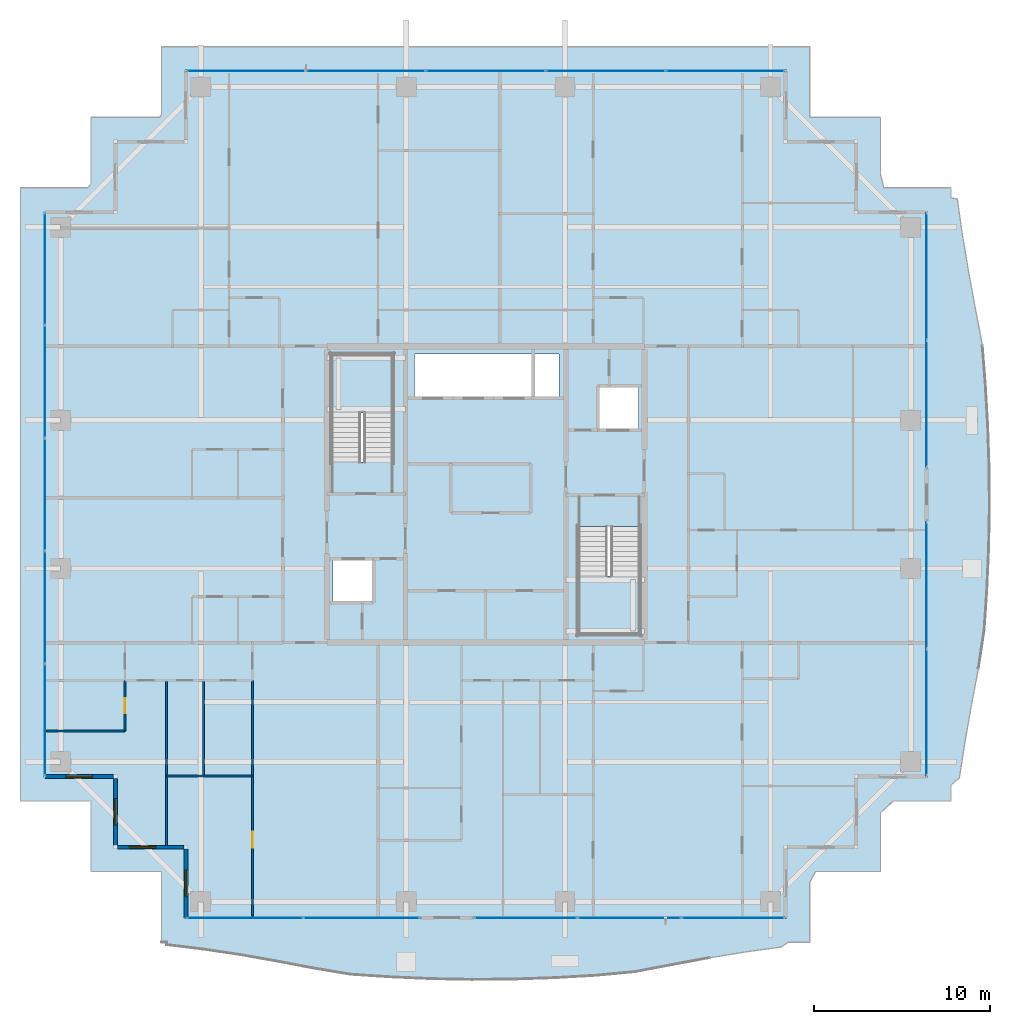
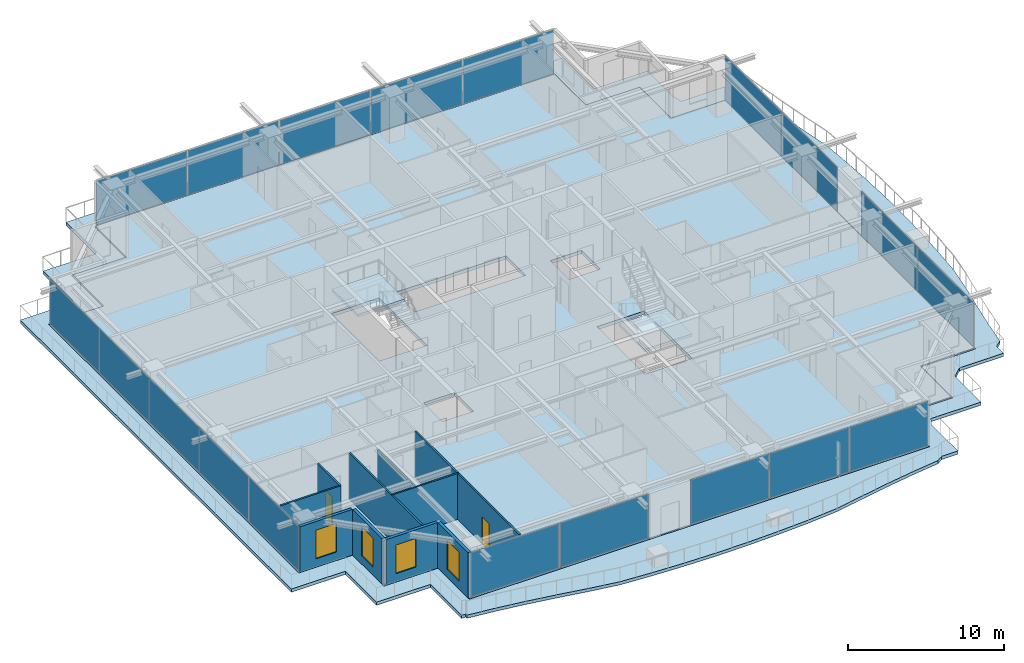
# One storey, part 25 of 37: 19 plates, 11 walls, 4 slabs, 4 windows, 2 doors, 6 openings, 8 elements without a shape of their own.
"""IFC4 building model written with IfcOpenShell, lengths in metres."""

from ifc_helpers import new_model, si_unit, direction, frame, frame_2d, origin, origin_2d, place, context, subcontext, project, spatial, polyline, rectangle, outline, extrude, source, transform, mapped, material, layer, layer_set, type_object, element, fill, aggregate, save


model = new_model("IFC4")

# Units and contexts
model_context = context("Model", 3, precision=1e-05, world=origin(), true_north=direction((0.0, 1.0)))
body_context = subcontext(model_context, "Body", "Model", "MODEL_VIEW")
ifc_project = project(units=[si_unit("LENGTHUNIT", "METRE"), si_unit("AREAUNIT", "SQUARE_METRE"), si_unit("VOLUMEUNIT", "CUBIC_METRE"), si_unit("PLANEANGLEUNIT", "RADIAN"), si_unit("MASSUNIT", "GRAM", prefix="KILO")], contexts=[model_context])

# Site, building, storey
site_placement = place(None, origin())
site = spatial("IfcSite", under=ifc_project, at=site_placement, CompositionType="ELEMENT")
building_placement = place(site_placement, origin())
building = spatial("IfcBuilding", under=site, at=building_placement, Name="Serunith Strait Residences", CompositionType="ELEMENT")
storey_placement = place(building_placement, frame((0.0, 0.0, 275.89990234375)))
storey = spatial("IfcBuildingStorey", under=building, at=storey_placement, Name="L69", CompositionType="ELEMENT", Elevation=275.89990234375)

# Slab
ifc_material_1 = material(Name="Concrete C50/60", Category="concrete")
ifc_layer_1 = layer(ifc_material_1, 0.239990234375, Name="Concrete C50/60")
ifc_layer_set_1 = layer_set([ifc_layer_1], Name="Concrete C50/60")
slab_type_1 = type_object("IfcSlabType", Name="SLB-BALC-240", PredefinedType="FLOOR", material=ifc_layer_set_1)
slab_1_placement = place(storey_placement, frame((0.0, 0.0, -0.289794921875)))
element("IfcSlab", 1, at=slab_1_placement, inside=storey, type_object=slab_type_1, Name="L69 Planted Vertical-Forest Balcony Slab", PredefinedType="FLOOR", context=body_context, shape_type="SweptSolid", body=[
    extrude(outline(polyline([(14.02001953125, -0.179931640625), (14.02001953125, 3.820068359375), (10.02001953125, 3.820068359375), (10.02001953125, 7.820068359375), (6.02001953125, 7.820068359375), (6.02001953125, 42.580078125), (9.824951171875, 42.580078125), (10.02001953125, 42.802001953125), (10.02001953125, 46.580078125), (13.9189453125, 46.580078125), (14.02001953125, 46.734619140625), (14.02001953125, 50.580078125), (50.780029296875, 50.580078125), (50.780029296875, 46.580078125), (54.780029296875, 46.580078125), (54.780029296875, 43.365966796875), (54.9716796875, 42.580078125), (58.780029296875, 42.580078125), (58.780029296875, 42.016357421875), (59.138427734375, 41.9560546875), (59.425048828125, 39.9287109375), (59.76708984375, 37.880126953125), (60.154052734375, 35.792724609375), (60.5615234375, 33.6484375), (60.73828125, 31.38720703125), (60.869873046875, 29.0908203125), (60.94873046875, 26.770263671875), (60.967041015625, 24.438232421875), (60.922607421875, 22.110107421875), (60.8193359375, 19.80029296875), (60.66748046875, 17.5205078125), (60.33447265625, 15.329833984375), (59.933837890625, 13.222900390625), (59.569580078125, 11.162353515625), (59.2578125, 9.130126953125), (58.780029296875, 8.728515625), (58.780029296875, 7.820068359375), (55.5048828125, 7.820068359375), (54.780029296875, 7.146484375), (54.780029296875, 3.820068359375), (51.10302734375, 3.820068359375), (50.780029296875, 3.237060546875), (50.780029296875, -0.179931640625), (49.5576171875, -0.179931640625), (49.1513671875, -0.461669921875), (47.125244140625, -0.73828125), (45.080078125, -1.072509765625), (42.997802734375, -1.45654296875), (40.858154296875, -1.8662109375), (38.603271484375, -2.0751953125), (36.3017578125, -2.206787109375), (33.974609375, -2.2861328125), (31.635986328125, -2.30517578125), (29.301025390625, -2.261474609375), (26.985107421875, -2.1591796875), (24.700439453125, -2.008056640625), (22.521728515625, -1.63916015625), (20.419921875, -1.239013671875), (18.36376953125, -0.880126953125), (16.333984375, -0.577392578125), (14.314697265625, -0.332275390625), (14.31591796875, -0.179931640625), (14.02001953125, -0.179931640625)]), holes=[polyline([(49.455078125, 1.14501953125), (49.455078125, 5.14501953125), (53.455078125, 5.14501953125), (53.455078125, 9.14501953125), (57.455078125, 9.14501953125), (57.455078125, 41.2548828125), (53.455078125, 41.2548828125), (53.455078125, 45.2548828125), (49.455078125, 45.2548828125), (49.455078125, 49.2548828125), (15.344970703125, 49.2548828125), (15.344970703125, 45.2548828125), (11.344970703125, 45.2548828125), (11.344970703125, 41.2548828125), (7.344970703125, 41.2548828125), (7.344970703125, 9.14501953125), (11.344970703125, 9.14501953125), (11.344970703125, 5.14501953125), (15.344970703125, 5.14501953125), (15.344970703125, 1.14501953125), (49.455078125, 1.14501953125)])]), origin(), (0.0, 0.0, 1.0), 0.239990234375),
])

# Stair, slab
stair_type_1 = type_object("IfcStairType", Name="STR-CORE-1", PredefinedType="HALF_TURN_STAIR", material=ifc_material_1)
stair_1_placement = place(storey_placement, origin())
stair_1 = element("IfcStair", 2, at=stair_1_placement, inside=storey, type_object=stair_type_1, Name="L69 Protected Escape Stair ST-1", PredefinedType="HALF_TURN_STAIR")
ifc_layer_2 = layer(ifc_material_1, 0.199951171875, Name="Concrete C50/60")
ifc_layer_set_2 = layer_set([ifc_layer_2], Name="Concrete C50/60")
slab_type_2 = type_object("IfcSlabType", Name="SLB-LAND-200", PredefinedType="LANDING", material=ifc_layer_set_2)
slab_2_placement = place(storey_placement, frame((0.0, 0.0, 1.72509765625)))
slab_2 = element("IfcSlab", 3, at=slab_2_placement, type_object=slab_type_2, Name="ST-1 landing 1", PredefinedType="LANDING", context=body_context, shape_type="SweptSolid", body=[
    extrude(outline(polyline([(27.14990234375, 29.830078125), (27.14990234375, 33.14990234375), (23.64990234375, 33.14990234375), (23.64990234375, 29.830078125), (27.14990234375, 29.830078125)])), origin(), (0.0, 0.0, 1.0), 0.199951171875),
])
aggregate(stair_1, [slab_2])

stair_type_2 = type_object("IfcStairType", Name="STR-CORE-2", PredefinedType="HALF_TURN_STAIR", material=ifc_material_1)
stair_2_placement = place(storey_placement, origin())
stair_2 = element("IfcStair", 4, at=stair_2_placement, inside=storey, type_object=stair_type_2, Name="L69 Protected Escape Stair ST-2", PredefinedType="HALF_TURN_STAIR")
slab_3_placement = place(storey_placement, frame((0.0, 0.0, 1.72509765625)))
slab_3 = element("IfcSlab", 5, at=slab_3_placement, type_object=slab_type_2, Name="ST-2 landing 1", PredefinedType="LANDING", context=body_context, shape_type="SweptSolid", body=[
    extrude(outline(polyline([(37.64990234375, 20.570068359375), (37.64990234375, 17.25), (41.14990234375, 17.25), (41.14990234375, 20.570068359375), (37.64990234375, 20.570068359375)])), origin(), (0.0, 0.0, 1.0), 0.199951171875),
])
aggregate(stair_2, [slab_3])

# Slab
ifc_material_2 = material(Name="Concrete C60/75", Category="concrete")
ifc_layer_3 = layer(ifc_material_2, 0.260009765625, Name="Concrete C60/75")
ifc_layer_set_3 = layer_set([ifc_layer_3], Name="Concrete C60/75")
slab_type_3 = type_object("IfcSlabType", Name="SLB-TWR-275-Z3", PredefinedType="FLOOR", material=ifc_layer_set_3)
slab_4_placement = place(storey_placement, frame((0.0, 0.0, -0.260009765625)))
element("IfcSlab", 6, at=slab_4_placement, inside=storey, type_object=slab_type_3, Name="L69 Structural Floor Plate", PredefinedType="FLOOR", context=body_context, shape_type="SweptSolid", body=[
    extrude(outline(polyline([(15.39990234375, 5.199951171875), (11.39990234375, 5.199951171875), (11.39990234375, 9.199951171875), (7.39990234375, 9.199951171875), (7.39990234375, 41.199951171875), (11.39990234375, 41.199951171875), (11.39990234375, 45.199951171875), (15.39990234375, 45.199951171875), (15.39990234375, 49.199951171875), (49.39990234375, 49.199951171875), (49.39990234375, 45.199951171875), (53.39990234375, 45.199951171875), (53.39990234375, 41.199951171875), (57.39990234375, 41.199951171875), (57.39990234375, 9.199951171875), (53.39990234375, 9.199951171875), (53.39990234375, 5.199951171875), (49.39990234375, 5.199951171875), (49.39990234375, 1.199951171875), (15.39990234375, 1.199951171875), (15.39990234375, 5.199951171875)]), holes=[polyline([(41.14990234375, 23.3701171875), (37.64990234375, 23.3701171875), (37.64990234375, 17.25), (41.14990234375, 17.25), (41.14990234375, 23.3701171875)]), polyline([(38.75, 31.25), (38.75, 28.85009765625), (41.050048828125, 28.85009765625), (41.050048828125, 31.25), (38.75, 31.25)]), polyline([(36.550048828125, 33.14990234375), (28.35009765625, 33.14990234375), (28.35009765625, 30.64990234375), (36.550048828125, 30.64990234375), (36.550048828125, 33.14990234375)]), polyline([(23.64990234375, 33.14990234375), (23.64990234375, 27.030029296875), (27.14990234375, 27.030029296875), (27.14990234375, 33.14990234375), (23.64990234375, 33.14990234375)]), polyline([(23.75, 21.550048828125), (23.75, 19.14990234375), (26.050048828125, 19.14990234375), (26.050048828125, 21.550048828125), (23.75, 21.550048828125)])]), origin(), (0.0, 0.0, 1.0), 0.260009765625),
])

# Curtain wall, plates
ifc_material_3 = material(Name="Pale-Champagne Anodised Aluminium", Category="aluminium")
ifc_layer_4 = layer(ifc_material_3, 0.199951171875, Name="Pale-Champagne Anodised Aluminium")
ifc_layer_set_4 = layer_set([ifc_layer_4], Name="Pale-Champagne Anodised Aluminium")
curtain_wall_type = type_object("IfcCurtainWallType", Name="CW-SYS4", PredefinedType="NOTDEFINED", material=ifc_layer_set_4)
curtain_wall_1_placement = place(storey_placement, origin())
curtain_wall_1 = element("IfcCurtainWall", 7, at=curtain_wall_1_placement, inside=storey, type_object=curtain_wall_type, Name="L69 W Unitised Fritted Curtain Wall", PredefinedType="NOTDEFINED")
ifc_material_4 = material(Name="Ceramic-Printed Solar-Control Glazing 28mm", Category="glass")
ifc_layer_5 = layer(ifc_material_4, 0.028076171875, Name="Ceramic-Printed Solar-Control Glazing 28mm")
ifc_layer_set_5 = layer_set([ifc_layer_5], Name="Ceramic-Printed Solar-Control Glazing 28mm")
plate_type = type_object("IfcPlateType", Name="CW-SYS4-PNL", PredefinedType="CURTAIN_PANEL", material=ifc_layer_set_5)
shared_shape_1 = source(origin(), body_context, "Body", "SweptSolid", [
    extrude(rectangle(XDim=6.302490234375, YDim=0.028076171875, at=origin_2d()), origin(), (0.0, 0.0, 1.0), 3.455078125),
])
plate_1_placement = place(storey_placement, frame((7.39990234375, 37.983642578125, 0.06005859375), z_axis=(0.0, 0.0, 1.0), x_axis=(0.0, -1.0, 0.0)))
plate_1 = element("IfcPlate", 8, at=plate_1_placement, type_object=plate_type, Name="CW-4 panel 1.1", PredefinedType="CURTAIN_PANEL", context=body_context, shape_type="MappedRepresentation", body=[
    mapped(shared_shape_1, transform((0.0, 0.0, 0.0), scale=1.0)),
])
plate_2_placement = place(storey_placement, frame((7.39990234375, 12.416259765625, 0.06005859375), z_axis=(0.0, 0.0, 1.0), x_axis=(0.0, -1.0, 0.0)))
plate_2 = element("IfcPlate", 9, at=plate_2_placement, type_object=plate_type, Name="CW-4 panel 5.1", PredefinedType="CURTAIN_PANEL", context=body_context, shape_type="MappedRepresentation", body=[
    mapped(shared_shape_1, transform((0.0, 0.0, 0.0), scale=1.0)),
])
shared_shape_2 = source(origin(), body_context, "Body", "SweptSolid", [
    extrude(rectangle(XDim=6.3349609375, YDim=0.028076171875, at=origin_2d()), origin(), (0.0, 0.0, 1.0), 3.455078125),
])
plate_3_placement = place(storey_placement, frame((7.39990234375, 31.60009765625, 0.06005859375), z_axis=(0.0, 0.0, 1.0), x_axis=(0.0, -1.0, 0.0)))
plate_3 = element("IfcPlate", 10, at=plate_3_placement, type_object=plate_type, Name="CW-4 panel 2.1", PredefinedType="CURTAIN_PANEL", context=body_context, shape_type="MappedRepresentation", body=[
    mapped(shared_shape_2, transform((0.0, 0.0, 0.0), scale=1.0)),
])
plate_4_placement = place(storey_placement, frame((7.39990234375, 25.199951171875, 0.06005859375), z_axis=(0.0, 0.0, 1.0), x_axis=(0.0, -1.0, 0.0)))
plate_4 = element("IfcPlate", 11, at=plate_4_placement, type_object=plate_type, Name="CW-4 panel 3.1", PredefinedType="CURTAIN_PANEL", context=body_context, shape_type="MappedRepresentation", body=[
    mapped(shared_shape_2, transform((0.0, 0.0, 0.0), scale=1.0)),
])
plate_5_placement = place(storey_placement, frame((7.39990234375, 18.800048828125, 0.06005859375), z_axis=(0.0, 0.0, 1.0), x_axis=(0.0, -1.0, 0.0)))
plate_5 = element("IfcPlate", 12, at=plate_5_placement, type_object=plate_type, Name="CW-4 panel 4.1", PredefinedType="CURTAIN_PANEL", context=body_context, shape_type="MappedRepresentation", body=[
    mapped(shared_shape_2, transform((0.0, 0.0, 0.0), scale=1.0)),
])
aggregate(curtain_wall_1, [plate_1, plate_3, plate_4, plate_5, plate_2])

curtain_wall_2_placement = place(storey_placement, origin())
curtain_wall_2 = element("IfcCurtainWall", 13, at=curtain_wall_2_placement, inside=storey, type_object=curtain_wall_type, Name="L69 N Unitised Fritted Curtain Wall", PredefinedType="NOTDEFINED")
shared_shape_3 = source(origin(), body_context, "Body", "SweptSolid", [
    extrude(rectangle(XDim=6.702392578125, YDim=0.028076171875, at=origin_2d()), origin(), (0.0, 0.0, 1.0), 3.455078125),
])
plate_6_placement = place(storey_placement, frame((45.983642578125, 49.199951171875, 0.06005859375), z_axis=(0.0, 0.0, 1.0), x_axis=(-1.0, 0.0, 0.0)))
plate_6 = element("IfcPlate", 14, at=plate_6_placement, type_object=plate_type, Name="CW-4 panel 1.1", PredefinedType="CURTAIN_PANEL", context=body_context, shape_type="MappedRepresentation", body=[
    mapped(shared_shape_3, transform((0.0, 0.0, 0.0), scale=1.0)),
])
plate_7_placement = place(storey_placement, frame((18.816162109375, 49.199951171875, 0.06005859375), z_axis=(0.0, 0.0, 1.0), x_axis=(-1.0, 0.0, 0.0)))
plate_7 = element("IfcPlate", 15, at=plate_7_placement, type_object=plate_type, Name="CW-4 panel 5.1", PredefinedType="CURTAIN_PANEL", context=body_context, shape_type="MappedRepresentation", body=[
    mapped(shared_shape_3, transform((0.0, 0.0, 0.0), scale=1.0)),
])
shared_shape_4 = source(origin(), body_context, "Body", "SweptSolid", [
    extrude(rectangle(XDim=6.735107421875, YDim=0.028076171875, at=origin_2d()), origin(), (0.0, 0.0, 1.0), 3.455078125),
])
plate_8_placement = place(storey_placement, frame((39.199951171875, 49.199951171875, 0.06005859375), z_axis=(0.0, 0.0, 1.0), x_axis=(-1.0, 0.0, 0.0)))
plate_8 = element("IfcPlate", 16, at=plate_8_placement, type_object=plate_type, Name="CW-4 panel 2.1", PredefinedType="CURTAIN_PANEL", context=body_context, shape_type="MappedRepresentation", body=[
    mapped(shared_shape_4, transform((0.0, 0.0, 0.0), scale=1.0)),
])
plate_9_placement = place(storey_placement, frame((32.39990234375, 49.199951171875, 0.06005859375), z_axis=(0.0, 0.0, 1.0), x_axis=(-1.0, 0.0, 0.0)))
plate_9 = element("IfcPlate", 17, at=plate_9_placement, type_object=plate_type, Name="CW-4 panel 3.1", PredefinedType="CURTAIN_PANEL", context=body_context, shape_type="MappedRepresentation", body=[
    mapped(shared_shape_4, transform((0.0, 0.0, 0.0), scale=1.0)),
])
plate_10_placement = place(storey_placement, frame((25.60009765625, 49.199951171875, 0.06005859375), z_axis=(0.0, 0.0, 1.0), x_axis=(-1.0, 0.0, 0.0)))
plate_10 = element("IfcPlate", 18, at=plate_10_placement, type_object=plate_type, Name="CW-4 panel 4.1", PredefinedType="CURTAIN_PANEL", context=body_context, shape_type="MappedRepresentation", body=[
    mapped(shared_shape_4, transform((0.0, 0.0, 0.0), scale=1.0)),
])
aggregate(curtain_wall_2, [plate_6, plate_8, plate_9, plate_10, plate_7])

curtain_wall_3_placement = place(storey_placement, origin())
curtain_wall_3 = element("IfcCurtainWall", 19, at=curtain_wall_3_placement, inside=storey, type_object=curtain_wall_type, Name="L69 E Unitised Fritted Curtain Wall", PredefinedType="NOTDEFINED")
shared_shape_5 = source(origin(), body_context, "Body", "SweptSolid", [
    extrude(rectangle(XDim=7.152587890625, YDim=0.028076171875, at=origin_2d()), origin(), (0.0, 0.0, 1.0), 3.455078125),
])
plate_11_placement = place(storey_placement, frame((57.39990234375, 12.84130859375, 0.06005859375), z_axis=(0.0, 0.0, 1.0), x_axis=(0.0, 1.0, 0.0)))
plate_11 = element("IfcPlate", 20, at=plate_11_placement, type_object=plate_type, Name="CW-4 panel 1.1", PredefinedType="CURTAIN_PANEL", context=body_context, shape_type="MappedRepresentation", body=[
    mapped(shared_shape_5, transform((0.0, 0.0, 0.0), scale=1.0)),
])
plate_12_placement = place(storey_placement, frame((57.39990234375, 20.058837890625, 0.06005859375), z_axis=(0.0, 0.0, 1.0), x_axis=(0.0, 1.0, 0.0)))
plate_12 = element("IfcPlate", 21, at=plate_12_placement, type_object=plate_type, Name="CW-4 panel 2.1", PredefinedType="CURTAIN_PANEL", context=body_context, shape_type="MappedRepresentation", body=[
    mapped(shared_shape_5, transform((0.0, 0.0, 0.0), scale=1.0)),
])
aggregate(curtain_wall_3, [plate_11, plate_12])

curtain_wall_4_placement = place(storey_placement, origin())
curtain_wall_4 = element("IfcCurtainWall", 22, at=curtain_wall_4_placement, inside=storey, type_object=curtain_wall_type, Name="L69 E Unitised Fritted Curtain Wall", PredefinedType="NOTDEFINED")
plate_13_placement = place(storey_placement, frame((57.39990234375, 30.34130859375, 0.06005859375), z_axis=(0.0, 0.0, 1.0), x_axis=(0.0, 1.0, 0.0)))
plate_13 = element("IfcPlate", 23, at=plate_13_placement, type_object=plate_type, Name="CW-4 panel 1.1", PredefinedType="CURTAIN_PANEL", context=body_context, shape_type="MappedRepresentation", body=[
    mapped(shared_shape_5, transform((0.0, 0.0, 0.0), scale=1.0)),
])
plate_14_placement = place(storey_placement, frame((57.39990234375, 37.558837890625, 0.06005859375), z_axis=(0.0, 0.0, 1.0), x_axis=(0.0, 1.0, 0.0)))
plate_14 = element("IfcPlate", 24, at=plate_14_placement, type_object=plate_type, Name="CW-4 panel 2.1", PredefinedType="CURTAIN_PANEL", context=body_context, shape_type="MappedRepresentation", body=[
    mapped(shared_shape_5, transform((0.0, 0.0, 0.0), scale=1.0)),
])
aggregate(curtain_wall_4, [plate_13, plate_14])

curtain_wall_5_placement = place(storey_placement, origin())
curtain_wall_5 = element("IfcCurtainWall", 25, at=curtain_wall_5_placement, inside=storey, type_object=curtain_wall_type, Name="L69 S Unitised Fritted Curtain Wall", PredefinedType="NOTDEFINED")
shared_shape_6 = source(origin(), body_context, "Body", "SweptSolid", [
    extrude(rectangle(XDim=6.552490234375, YDim=0.028076171875, at=origin_2d()), origin(), (0.0, 0.0, 1.0), 3.455078125),
])
plate_15_placement = place(storey_placement, frame((18.7412109375, 1.199951171875, 0.06005859375), z_axis=(0.0, 0.0, 1.0), x_axis=(1.0, 0.0, 0.0)))
plate_15 = element("IfcPlate", 26, at=plate_15_placement, type_object=plate_type, Name="CW-4 panel 1.1", PredefinedType="CURTAIN_PANEL", context=body_context, shape_type="MappedRepresentation", body=[
    mapped(shared_shape_6, transform((0.0, 0.0, 0.0), scale=1.0)),
])
plate_16_placement = place(storey_placement, frame((25.358642578125, 1.199951171875, 0.06005859375), z_axis=(0.0, 0.0, 1.0), x_axis=(1.0, 0.0, 0.0)))
plate_16 = element("IfcPlate", 27, at=plate_16_placement, type_object=plate_type, Name="CW-4 panel 2.1", PredefinedType="CURTAIN_PANEL", context=body_context, shape_type="MappedRepresentation", body=[
    mapped(shared_shape_6, transform((0.0, 0.0, 0.0), scale=1.0)),
])
aggregate(curtain_wall_5, [plate_15, plate_16])

curtain_wall_6_placement = place(storey_placement, origin())
curtain_wall_6 = element("IfcCurtainWall", 28, at=curtain_wall_6_placement, inside=storey, type_object=curtain_wall_type, Name="L69 S Unitised Fritted Curtain Wall", PredefinedType="NOTDEFINED")
shared_shape_7 = source(origin(), body_context, "Body", "SweptSolid", [
    extrude(rectangle(XDim=5.802490234375, YDim=0.028076171875, at=origin_2d()), origin(), (0.0, 0.0, 1.0), 3.455078125),
])
plate_17_placement = place(storey_placement, frame((34.666259765625, 1.199951171875, 0.06005859375), z_axis=(0.0, 0.0, 1.0), x_axis=(1.0, 0.0, 0.0)))
plate_17 = element("IfcPlate", 29, at=plate_17_placement, type_object=plate_type, Name="CW-4 panel 1.1", PredefinedType="CURTAIN_PANEL", context=body_context, shape_type="MappedRepresentation", body=[
    mapped(shared_shape_7, transform((0.0, 0.0, 0.0), scale=1.0)),
])
plate_18_placement = place(storey_placement, frame((46.433837890625, 1.199951171875, 0.06005859375), z_axis=(0.0, 0.0, 1.0), x_axis=(1.0, 0.0, 0.0)))
plate_18 = element("IfcPlate", 30, at=plate_18_placement, type_object=plate_type, Name="CW-4 panel 3.1", PredefinedType="CURTAIN_PANEL", context=body_context, shape_type="MappedRepresentation", body=[
    mapped(shared_shape_7, transform((0.0, 0.0, 0.0), scale=1.0)),
])
shared_shape_8 = source(origin(), body_context, "Body", "SweptSolid", [
    extrude(rectangle(XDim=5.8349609375, YDim=0.028076171875, at=origin_2d()), origin(), (0.0, 0.0, 1.0), 3.455078125),
])
plate_19_placement = place(storey_placement, frame((40.550048828125, 1.199951171875, 0.06005859375), z_axis=(0.0, 0.0, 1.0), x_axis=(1.0, 0.0, 0.0)))
plate_19 = element("IfcPlate", 31, at=plate_19_placement, type_object=plate_type, Name="CW-4 panel 2.1", PredefinedType="CURTAIN_PANEL", context=body_context, shape_type="MappedRepresentation", body=[
    mapped(shared_shape_8, transform((0.0, 0.0, 0.0), scale=1.0)),
])
aggregate(curtain_wall_6, [plate_17, plate_19, plate_18])

# Wall, opening, window
ifc_material_5 = material(Name="Pale-Champagne Aluminium Insulated Panel", Category="aluminium")
ifc_layer_6 = layer(ifc_material_5, 0.219970703125, Name="Pale-Champagne Aluminium Insulated Panel")
ifc_layer_set_6 = layer_set([ifc_layer_6], Name="Pale-Champagne Aluminium Insulated Panel")
wall_type_1 = type_object("IfcWallType", Name="EW-ALUM-220", PredefinedType="ELEMENTEDWALL", material=ifc_layer_set_6)
wall_1_placement = place(storey_placement, frame((7.39990234375, 9.199951171875, 0.0), z_axis=(0.0, 0.0, 1.0), x_axis=(1.0, 0.0, 0.0)))
wall_1 = element("IfcWall", 32, at=wall_1_placement, inside=storey, type_object=wall_type_1, Name="L69 Girih Serrated Corner Wall 17", PredefinedType="ELEMENTEDWALL", context=body_context, shape_type="SweptSolid", body=[
    extrude(rectangle(XDim=3.89013671875, YDim=0.219970703125, at=frame_2d((1.945068359375, 0.0))), origin(), (0.0, 0.0, 1.0), 3.5751953125),
])
opening_1_placement = place(wall_1_placement, frame((1.195068359375, 0.0, 0.64990234375)))
opening_1 = element("IfcOpeningElement", 33, at=opening_1_placement, cuts=wall_1, Name="Opening W-05", PredefinedType="OPENING", context=body_context, shape_type="SweptSolid", body=[
    extrude(rectangle(XDim=1.5, YDim=2.25, at=frame_2d((0.75, 1.125))), frame((0.0, 0.1201171875, 0.0), z_axis=(0.0, -1.0, 0.0), x_axis=(1.0, 0.0, 0.0)), (0.0, 0.0, 1.0), 0.239990234375),
])
ifc_material_6 = material(Name="Ceramic-Fritted Operable Aluminium Window Glass", Category="aluminium")
window_type = type_object("IfcWindowType", Name="WIN-C5", PartitioningType="DOUBLE_PANEL_VERTICAL", PredefinedType="WINDOW", material=ifc_material_6)
shared_shape_9 = source(origin(), body_context, "Body", "SweptSolid", [
    extrude(rectangle(XDim=1.5, YDim=2.25, at=frame_2d((0.75, 1.125))), frame((0.0, 0.030029296875, 0.0), z_axis=(0.0, -1.0, 0.0), x_axis=(1.0, 0.0, 0.0)), (0.0, 0.0, 1.0), 0.06005859375),
])
window_1_placement = place(opening_1_placement, origin())
window_1 = element("IfcWindow", 34, at=window_1_placement, inside=storey, type_object=window_type, Name="L69 Corner Operable Fritted Window 17", OverallHeight=2.25, OverallWidth=1.5, PartitioningType="SINGLE_PANEL", PredefinedType="WINDOW", context=body_context, shape_type="MappedRepresentation", body=[
    mapped(shared_shape_9, transform((0.0, 0.0, 0.0), scale=1.0)),
])
fill(opening_1, window_1)

wall_2_placement = place(storey_placement, frame((11.39990234375, 9.090087890625, 0.0), z_axis=(0.0, 0.0, 1.0), x_axis=(0.0, -1.0, 0.0)))
wall_2 = element("IfcWall", 35, at=wall_2_placement, inside=storey, type_object=wall_type_1, Name="L69 Girih Serrated Corner Wall 18", PredefinedType="ELEMENTEDWALL", context=body_context, shape_type="SweptSolid", body=[
    extrude(rectangle(XDim=3.780029296875, YDim=0.219970703125, at=frame_2d((1.89013671875, 0.0))), origin(), (0.0, 0.0, 1.0), 3.5751953125),
])
opening_2_placement = place(wall_2_placement, frame((1.139892578125, 0.0, 0.64990234375)))
opening_2 = element("IfcOpeningElement", 36, at=opening_2_placement, cuts=wall_2, Name="Opening W-05", PredefinedType="OPENING", context=body_context, shape_type="SweptSolid", body=[
    extrude(rectangle(XDim=1.5, YDim=2.25, at=frame_2d((0.75, 1.125))), frame((0.0, 0.1201171875, 0.0), z_axis=(0.0, -1.0, 0.0), x_axis=(1.0, 0.0, 0.0)), (0.0, 0.0, 1.0), 0.239990234375),
])
window_2_placement = place(opening_2_placement, origin())
window_2 = element("IfcWindow", 37, at=window_2_placement, inside=storey, type_object=window_type, Name="L69 Corner Operable Fritted Window 18", OverallHeight=2.25, OverallWidth=1.5, PartitioningType="SINGLE_PANEL", PredefinedType="WINDOW", context=body_context, shape_type="MappedRepresentation", body=[
    mapped(shared_shape_9, transform((0.0, 0.0, 0.0), scale=1.0)),
])
fill(opening_2, window_2)

wall_3_placement = place(storey_placement, frame((11.510009765625, 5.199951171875, 0.0), z_axis=(0.0, 0.0, 1.0), x_axis=(1.0, 0.0, 0.0)))
wall_3 = element("IfcWall", 38, at=wall_3_placement, inside=storey, type_object=wall_type_1, Name="L69 Girih Serrated Corner Wall 19", PredefinedType="ELEMENTEDWALL", context=body_context, shape_type="SweptSolid", body=[
    extrude(rectangle(XDim=3.780029296875, YDim=0.219970703125, at=frame_2d((1.89013671875, 0.0))), origin(), (0.0, 0.0, 1.0), 3.5751953125),
])
opening_3_placement = place(wall_3_placement, frame((0.68408203125, 0.0, 0.64990234375)))
opening_3 = element("IfcOpeningElement", 39, at=opening_3_placement, cuts=wall_3, Name="Opening W-05", PredefinedType="OPENING", context=body_context, shape_type="SweptSolid", body=[
    extrude(rectangle(XDim=1.5, YDim=2.25, at=frame_2d((0.75, 1.125))), frame((0.0, 0.1201171875, 0.0), z_axis=(0.0, -1.0, 0.0), x_axis=(1.0, 0.0, 0.0)), (0.0, 0.0, 1.0), 0.239990234375),
])
window_3_placement = place(opening_3_placement, origin())
window_3 = element("IfcWindow", 40, at=window_3_placement, inside=storey, type_object=window_type, Name="L69 Corner Operable Fritted Window 19", OverallHeight=2.25, OverallWidth=1.5, PartitioningType="SINGLE_PANEL", PredefinedType="WINDOW", context=body_context, shape_type="MappedRepresentation", body=[
    mapped(shared_shape_9, transform((0.0, 0.0, 0.0), scale=1.0)),
])
fill(opening_3, window_3)

wall_4_placement = place(storey_placement, frame((15.39990234375, 5.090087890625, 0.0), z_axis=(0.0, 0.0, 1.0), x_axis=(0.0, -1.0, 0.0)))
wall_4 = element("IfcWall", 41, at=wall_4_placement, inside=storey, type_object=wall_type_1, Name="L69 Girih Serrated Corner Wall 20", PredefinedType="ELEMENTEDWALL", context=body_context, shape_type="SweptSolid", body=[
    extrude(rectangle(XDim=3.89013671875, YDim=0.219970703125, at=frame_2d((1.945068359375, 0.0))), origin(), (0.0, 0.0, 1.0), 3.5751953125),
])
opening_4_placement = place(wall_4_placement, frame((1.195068359375, 0.0, 0.64990234375)))
opening_4 = element("IfcOpeningElement", 42, at=opening_4_placement, cuts=wall_4, Name="Opening W-05", PredefinedType="OPENING", context=body_context, shape_type="SweptSolid", body=[
    extrude(rectangle(XDim=1.5, YDim=2.25, at=frame_2d((0.75, 1.125))), frame((0.0, 0.1201171875, 0.0), z_axis=(0.0, -1.0, 0.0), x_axis=(1.0, 0.0, 0.0)), (0.0, 0.0, 1.0), 0.239990234375),
])
window_4_placement = place(opening_4_placement, origin())
window_4 = element("IfcWindow", 43, at=window_4_placement, inside=storey, type_object=window_type, Name="L69 Corner Operable Fritted Window 20", OverallHeight=2.25, OverallWidth=1.5, PartitioningType="SINGLE_PANEL", PredefinedType="WINDOW", context=body_context, shape_type="MappedRepresentation", body=[
    mapped(shared_shape_9, transform((0.0, 0.0, 0.0), scale=1.0)),
])
fill(opening_4, window_4)

# Wall, opening, door
ifc_material_7 = material(Name="Lightweight steel-stud gypsum partition", Category="steel")
ifc_layer_7 = layer(ifc_material_7, 0.1201171875, Name="Lightweight steel-stud gypsum partition")
ifc_layer_set_7 = layer_set([ifc_layer_7], Name="Lightweight steel-stud gypsum partition")
wall_type_2 = type_object("IfcWallType", Name="IW-PART-120", PredefinedType="PARTITIONING", material=ifc_layer_set_7)
wall_5_placement = place(storey_placement, frame((19.179931640625, 1.294921875, 0.0), z_axis=(0.0, 0.0, 1.0), x_axis=(0.0, 1.0, 0.0)))
wall_5 = element("IfcWall", 44, at=wall_5_placement, inside=storey, type_object=wall_type_2, Name="L69 Partition Wall 034", PredefinedType="PARTITIONING", context=body_context, shape_type="SweptSolid", body=[
    extrude(rectangle(XDim=7.947998046875, YDim=0.1201171875, at=frame_2d((3.97412109375, 0.0))), origin(), (0.0, 0.0, 1.0), 3.590087890625),
])
opening_5_placement = place(wall_5_placement, frame((3.8759765625, 0.0, 0.0)))
opening_5 = element("IfcOpeningElement", 45, at=opening_5_placement, cuts=wall_5, Name="Opening D-RM900", PredefinedType="OPENING", context=body_context, shape_type="SweptSolid", body=[
    extrude(rectangle(XDim=0.89990234375, YDim=2.10009765625, at=frame_2d((0.449951171875, 1.050048828125))), frame((0.0, 0.070068359375, 0.0), z_axis=(0.0, -1.0, 0.0), x_axis=(1.0, 0.0, 0.0)), (0.0, 0.0, 1.0), 0.14013671875),
])
ifc_material_8 = material(Name="Engineered timber flush bedroom door", Category="wood")
door_type_1 = type_object("IfcDoorType", Name="ID-ROOM-900", OperationType="NOTDEFINED", PredefinedType="DOOR", material=ifc_material_8)
shared_shape_10 = source(origin(), body_context, "Body", "SweptSolid", [
    extrude(rectangle(XDim=0.89990234375, YDim=2.10009765625, at=frame_2d((0.449951171875, 1.050048828125))), frame((0.0, 0.02490234375, 0.0), z_axis=(0.0, -1.0, 0.0), x_axis=(1.0, 0.0, 0.0)), (0.0, 0.0, 1.0), 0.050048828125),
])
door_1_placement = place(opening_5_placement, origin())
door_1 = element("IfcDoor", 46, at=door_1_placement, inside=storey, type_object=door_type_1, Name="L69 Formal Dining Room 1 6901 Door", OperationType="SINGLE_SWING_LEFT", OverallHeight=2.10009765625, OverallWidth=0.89990234375, PredefinedType="DOOR", context=body_context, shape_type="MappedRepresentation", body=[
    mapped(shared_shape_10, transform((0.0, 0.0, 0.0), scale=1.0)),
])
fill(opening_5, door_1)

# Walls
wall_6_placement = place(storey_placement, frame((19.179931640625, 9.2451171875, 0.0), z_axis=(0.0, 0.0, 1.0), x_axis=(0.0, 1.0, 0.0)))
element("IfcWall", 47, at=wall_6_placement, inside=storey, type_object=wall_type_2, Name="L69 Partition Wall 035", PredefinedType="PARTITIONING", context=body_context, shape_type="SweptSolid", body=[
    extrude(rectangle(XDim=5.40283203125, YDim=0.1201171875, at=frame_2d((2.701416015625, 0.0))), origin(), (0.0, 0.0, 1.0), 3.590087890625),
])
wall_7_placement = place(storey_placement, frame((14.300048828125, 9.242919921875, 0.0), z_axis=(0.0, 0.0, 1.0), x_axis=(1.0, 0.0, 0.0)))
element("IfcWall", 48, at=wall_7_placement, inside=storey, type_object=wall_type_2, Name="L69 Partition Wall 036", PredefinedType="PARTITIONING", context=body_context, shape_type="SweptSolid", body=[
    extrude(rectangle(XDim=4.8798828125, YDim=0.1201171875, at=frame_2d((2.43994140625, 0.0))), origin(), (0.0, 0.0, 1.0), 3.590087890625),
])
wall_8_placement = place(storey_placement, frame((14.300048828125, 5.294921875, 0.0), z_axis=(0.0, 0.0, 1.0), x_axis=(0.0, 1.0, 0.0)))
element("IfcWall", 49, at=wall_8_placement, inside=storey, type_object=wall_type_2, Name="L69 Partition Wall 037", PredefinedType="PARTITIONING", context=body_context, shape_type="SweptSolid", body=[
    extrude(rectangle(XDim=9.35498046875, YDim=0.1201171875, at=frame_2d((4.677490234375, 0.0))), origin(), (0.0, 0.0, 1.0), 3.590087890625),
])
wall_9_placement = place(storey_placement, frame((16.39990234375, 9.242919921875, 0.0), z_axis=(0.0, 0.0, 1.0), x_axis=(0.0, 1.0, 0.0)))
element("IfcWall", 50, at=wall_9_placement, inside=storey, type_object=wall_type_2, Name="L69 Partition Wall 038", PredefinedType="PARTITIONING", context=body_context, shape_type="SweptSolid", body=[
    extrude(rectangle(XDim=5.406982421875, YDim=0.1201171875, at=frame_2d((2.70361328125, 0.0))), origin(), (0.0, 0.0, 1.0), 3.1220703125),
])
wall_10_placement = place(storey_placement, frame((7.4951171875, 11.79296875, 0.0), z_axis=(0.0, 0.0, 1.0), x_axis=(1.0, 0.0, 0.0)))
element("IfcWall", 51, at=wall_10_placement, inside=storey, type_object=wall_type_2, Name="L69 Partition Wall 042", PredefinedType="PARTITIONING", context=body_context, shape_type="SweptSolid", body=[
    extrude(rectangle(XDim=4.454833984375, YDim=0.1201171875, at=frame_2d((2.2275390625, 0.0))), origin(), (0.0, 0.0, 1.0), 3.590087890625),
])

# Wall, opening, door
wall_11_placement = place(storey_placement, frame((11.949951171875, 11.79296875, 0.0), z_axis=(0.0, 0.0, 1.0), x_axis=(0.0, 1.0, 0.0)))
wall_11 = element("IfcWall", 52, at=wall_11_placement, inside=storey, type_object=wall_type_2, Name="L69 Partition Wall 044", PredefinedType="PARTITIONING", context=body_context, shape_type="SweptSolid", body=[
    extrude(rectangle(XDim=2.85693359375, YDim=0.1201171875, at=frame_2d((1.428466796875, 0.0))), origin(), (0.0, 0.0, 1.0), 3.590087890625),
])
opening_6_placement = place(wall_11_placement, frame((1.00390625, 0.0, 0.0)))
opening_6 = element("IfcOpeningElement", 53, at=opening_6_placement, cuts=wall_11, Name="Opening D-BTH850", PredefinedType="OPENING", context=body_context, shape_type="SweptSolid", body=[
    extrude(rectangle(XDim=0.85009765625, YDim=2.10009765625, at=frame_2d((0.425048828125, 1.050048828125))), frame((0.0, 0.070068359375, 0.0), z_axis=(0.0, -1.0, 0.0), x_axis=(1.0, 0.0, 0.0)), (0.0, 0.0, 1.0), 0.14013671875),
])
ifc_material_9 = material(Name="Moisture-resistant timber bathroom door", Category="wood")
door_type_2 = type_object("IfcDoorType", Name="ID-BATH-850", OperationType="NOTDEFINED", PredefinedType="DOOR", material=ifc_material_9)
shared_shape_11 = source(origin(), body_context, "Body", "SweptSolid", [
    extrude(rectangle(XDim=0.85009765625, YDim=2.10009765625, at=frame_2d((0.425048828125, 1.050048828125))), frame((0.0, 0.02490234375, 0.0), z_axis=(0.0, -1.0, 0.0), x_axis=(1.0, 0.0, 0.0)), (0.0, 0.0, 1.0), 0.050048828125),
])
door_2_placement = place(opening_6_placement, origin())
door_2 = element("IfcDoor", 54, at=door_2_placement, inside=storey, type_object=door_type_2, Name="L69 En-suite Bathroom W 6901 Door", OperationType="SINGLE_SWING_LEFT", OverallHeight=2.10009765625, OverallWidth=0.85009765625, PredefinedType="DOOR", context=body_context, shape_type="MappedRepresentation", body=[
    mapped(shared_shape_11, transform((0.0, 0.0, 0.0), scale=1.0)),
])
fill(opening_6, door_2)

save(model, "model.ifc")
